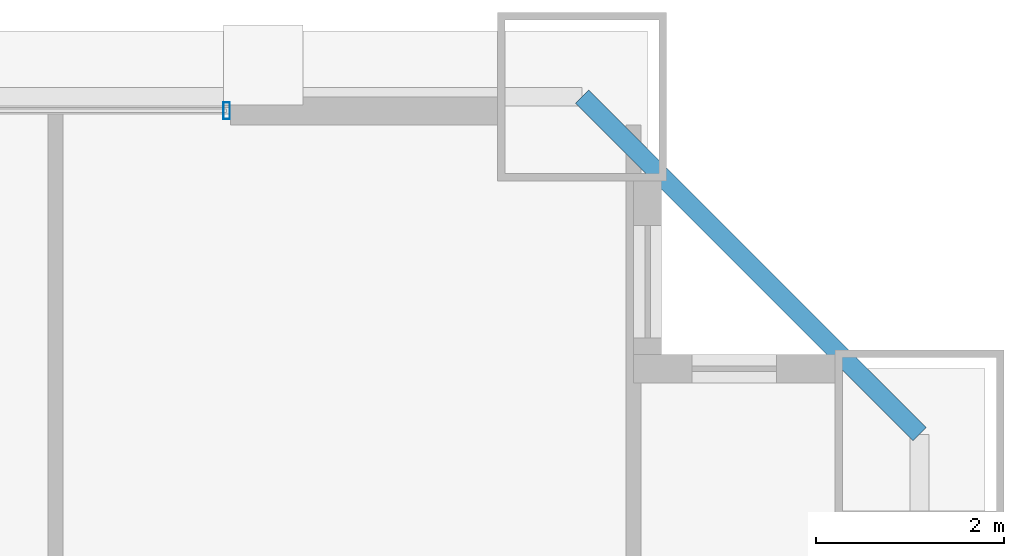
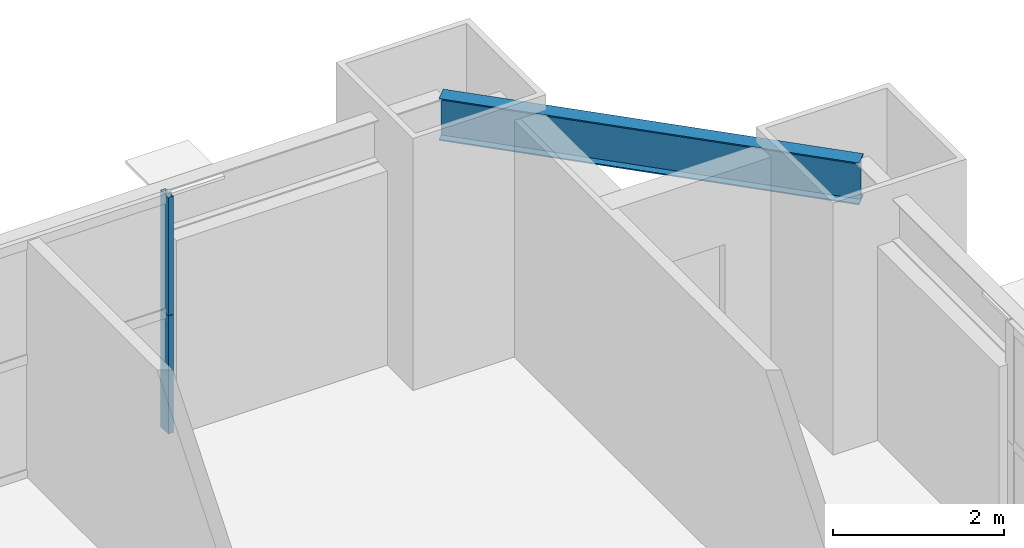
# One storey, part 38 of 45: 2 members, 1 beam, 1 element without a shape of its own.
"""IFC4 building model written with IfcOpenShell, lengths in metres."""

from ifc_helpers import new_model, si_unit, direction, frame, origin, origin_2d, place, context, subcontext, project, spatial, hollow_rectangle, i_section, extrude, source, transform, mapped, material, layer, layer_set, material_profile, profile_set, type_object, element, aggregate, save


model = new_model("IFC4")

# Units and contexts
model_context = context("Model", 3, precision=1e-05, world=origin(), true_north=direction((0.0, 1.0)))
body_context = subcontext(model_context, "Body", "Model", "MODEL_VIEW")
ifc_project = project(units=[si_unit("LENGTHUNIT", "METRE"), si_unit("AREAUNIT", "SQUARE_METRE"), si_unit("VOLUMEUNIT", "CUBIC_METRE"), si_unit("PLANEANGLEUNIT", "RADIAN"), si_unit("MASSUNIT", "GRAM", prefix="KILO"), si_unit("THERMODYNAMICTEMPERATUREUNIT", "KELVIN"), si_unit("POWERUNIT", "WATT")], contexts=[model_context])

# Site, building, storey
site_placement = place(None, origin())
site = spatial("IfcSite", under=ifc_project, at=site_placement, CompositionType="ELEMENT")
building_placement = place(site_placement, origin())
building = spatial("IfcBuilding", under=site, at=building_placement, Name="Yuzanri Waterfront Tower", CompositionType="ELEMENT")
storey_placement = place(building_placement, frame((0.0, 0.0, 49.60009765625)))
storey = spatial("IfcBuildingStorey", under=building, at=storey_placement, Name="L12", CompositionType="ELEMENT", Elevation=49.60009765625)

# Beam
ifc_material_1 = material(Name="Steel Q355B", Category="steel")
ifc_material_profile_1 = material_profile(ifc_material_1, i_section(OverallWidth=0.199951171875, OverallDepth=0.60009765625, WebThickness=0.010986328125, FlangeThickness=0.01708984375, at=origin_2d()), Name="HN 600x200x11x17")
ifc_profile_set_1 = profile_set([ifc_material_profile_1], Name="Steel Q355B")
beam_type = type_object("IfcBeamType", Name="Perimeter Spandrel Q355B HN 600x200", PredefinedType="SPANDREL", material=ifc_profile_set_1)
shared_shape_1 = source(origin(), body_context, "Body", "SweptSolid", [
    extrude(i_section(OverallWidth=0.199951171875, OverallDepth=0.60009765625, WebThickness=0.010986328125, FlangeThickness=0.01708984375, at=origin_2d()), origin(), (0.0, 0.0, 1.0), 5.091064453125),
])
beam_placement = place(storey_placement, frame((62.10009765625, 47.300048828125, 3.079833984375), z_axis=(-0.707130757816, 0.707082803744, 0.0), x_axis=(-0.707082803744, -0.707130757816, 0.0)))
element("IfcBeam", 1, at=beam_placement, inside=storey, type_object=beam_type, Name="L12 Perimeter Spandrel E3-N3", PredefinedType="SPANDREL", context=body_context, shape_type="MappedRepresentation", body=[
    mapped(shared_shape_1, transform((0.0, 0.0, 0.0), scale=1.0)),
])

# Curtain wall, members
ifc_material_2 = material(Name="Anodized Architectural Bronze", Category="metal")
ifc_layer = layer(ifc_material_2, 0.159912109375)
ifc_layer_set = layer_set([ifc_layer], Name="Anodized Architectural Bronze")
curtain_wall_type = type_object("IfcCurtainWallType", Name="Anodized Bronze Hotel Lower-Tier Recessed Unitized Curtain Wall 8100", PredefinedType="NOTDEFINED", material=ifc_layer_set)
curtain_wall_placement = place(storey_placement, origin())
curtain_wall = element("IfcCurtainWall", 2, at=curtain_wall_placement, inside=storey, type_object=curtain_wall_type, Name="L12 Curtain Wall CW-L12-NR", PredefinedType="NOTDEFINED")
ifc_material_3 = material(Name="Anodized Architectural Bronze", Category="metal")
ifc_material_profile_2 = material_profile(ifc_material_3, hollow_rectangle(XDim=0.070068359375, YDim=0.179931640625, WallThickness=0.00390625, at=origin_2d()), Name="CWM 70x180")
ifc_profile_set_2 = profile_set([ifc_material_profile_2], Name="Anodized Architectural Bronze")
member_type = type_object("IfcMemberType", Name="Anodized Bronze Standard Curtain-Wall Mullion 70x180", PredefinedType="MULLION", material=ifc_profile_set_2)
shared_shape_2 = source(origin(), body_context, "Body", "SweptSolid", [
    extrude(hollow_rectangle(XDim=0.070068359375, YDim=0.179931640625, WallThickness=0.00390625, at=origin_2d()), origin(), (0.0, 0.0, 1.0), 1.68798828125),
])
member_1_placement = place(storey_placement, frame((54.7099609375, 50.75, 0.0), z_axis=(0.0, 0.0, 1.0), x_axis=(1.0, 0.0, 0.0)))
member_1 = element("IfcMember", 3, at=member_1_placement, type_object=member_type, Name="CW-L12-NR Lower Mullion 02", PredefinedType="MULLION", context=body_context, shape_type="MappedRepresentation", body=[
    mapped(shared_shape_2, transform((0.0, 0.0, 0.0), scale=1.0)),
])
member_2_placement = place(storey_placement, frame((54.7099609375, 50.75, 1.69189453125), z_axis=(0.0, 0.0, 1.0), x_axis=(1.0, 0.0, 0.0)))
member_2 = element("IfcMember", 4, at=member_2_placement, type_object=member_type, Name="CW-L12-NR Upper Mullion 02", PredefinedType="MULLION", context=body_context, shape_type="MappedRepresentation", body=[
    mapped(shared_shape_2, transform((0.0, 0.0, 0.0), scale=1.0)),
])
aggregate(curtain_wall, [member_1, member_2])

save(model, "model.ifc")
